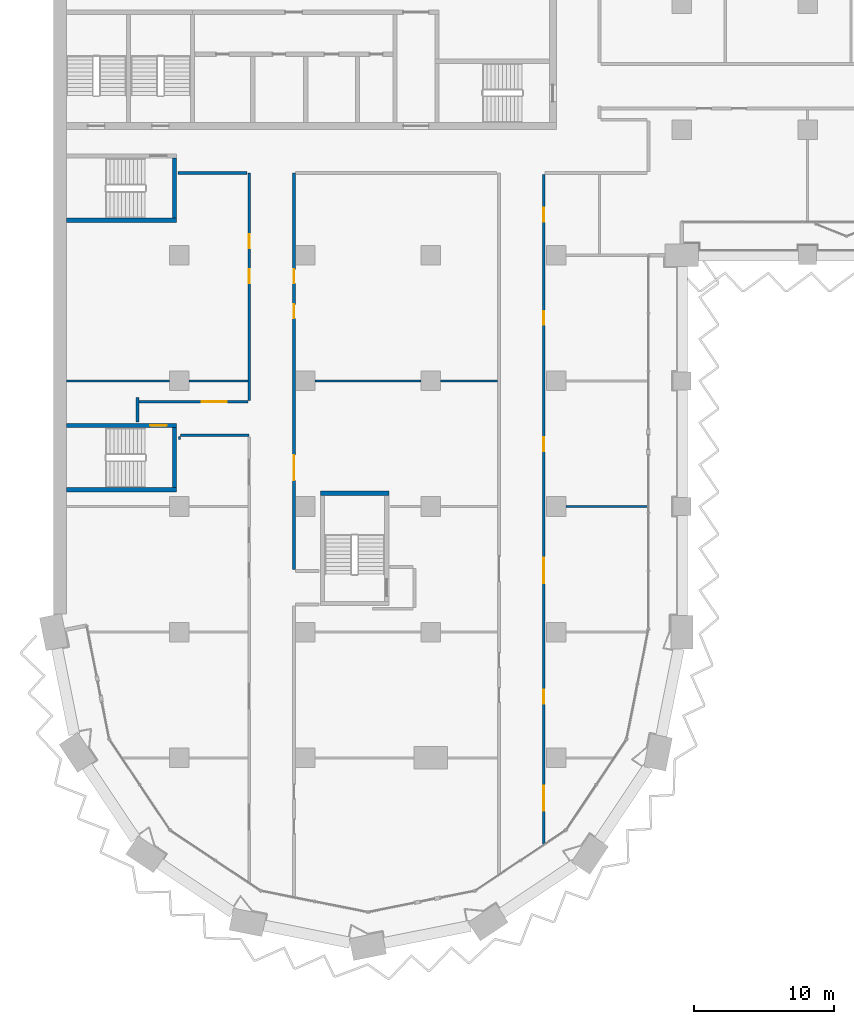
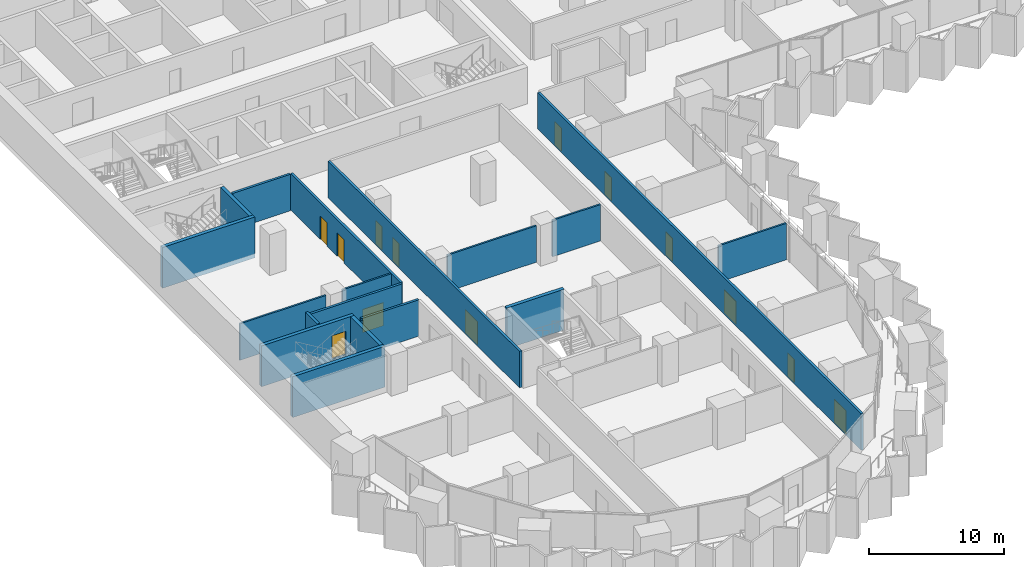
# One storey, part 11 of 28: 19 walls, 13 doors, 13 openings.
"""IFC4 building model written with IfcOpenShell, lengths in metres."""

from ifc_helpers import new_model, si_unit, direction, frame, frame_2d, origin, place, context, subcontext, project, spatial, rectangle, extrude, material, layer, layer_set, type_object, element, fill, save


model = new_model("IFC4")

# Units and contexts
model_context = context("Model", 3, precision=1e-05, world=origin(), true_north=direction((0.0, 1.0)))
body_context = subcontext(model_context, "Body", "Model", "MODEL_VIEW")
ifc_project = project(units=[si_unit("LENGTHUNIT", "METRE"), si_unit("AREAUNIT", "SQUARE_METRE"), si_unit("VOLUMEUNIT", "CUBIC_METRE"), si_unit("PLANEANGLEUNIT", "RADIAN"), si_unit("MASSUNIT", "GRAM", prefix="KILO")], contexts=[model_context])

# Site, building, storey
site_placement = place(None, origin())
site = spatial("IfcSite", under=ifc_project, at=site_placement, CompositionType="ELEMENT")
building_placement = place(site_placement, origin())
building = spatial("IfcBuilding", under=site, at=building_placement, Name="Hunhe Ridgeline Campus", CompositionType="ELEMENT")
storey_placement = place(building_placement, frame((0.0, 0.0, 43.199951171875)))
storey = spatial("IfcBuildingStorey", under=building, at=storey_placement, Name="L09", CompositionType="ELEMENT", Elevation=43.199951171875)

# Wall
ifc_material_1 = material(Name="Gypsum board partition")
ifc_layer_1 = layer(ifc_material_1, 0.199951171875)
ifc_layer_set_1 = layer_set([ifc_layer_1], Name="Corridor partition 200 gypsum board on steel studs")
wall_type_1 = type_object("IfcWallType", Name="Corridor partition 200 gypsum board on steel studs", PredefinedType="PARTITIONING", material=ifc_layer_set_1)
wall_1_placement = place(storey_placement, frame((14.0, 41.10009765625, 0.0), z_axis=(0.0, 0.0, 1.0), x_axis=(-1.0, 0.0, 0.0)))
element("IfcWall", 1, at=wall_1_placement, inside=storey, type_object=wall_type_1, Name="F-L09-wall-020", PredefinedType="PARTITIONING", context=body_context, shape_type="SweptSolid", body=[
    extrude(rectangle(XDim=4.925048828125, YDim=0.199951171875, at=frame_2d((2.46240234375, 0.0))), origin(), (0.0, 0.0, 1.0), 3.300048828125),
])

# Wall, opening, door
wall_2_placement = place(storey_placement, frame((6.10009765625, 43.5, 0.0), z_axis=(0.0, 0.0, 1.0), x_axis=(1.0, 0.0, 0.0)))
wall_2 = element("IfcWall", 2, at=wall_2_placement, inside=storey, type_object=wall_type_1, Name="F-L09-wall-021", PredefinedType="PARTITIONING", context=body_context, shape_type="SweptSolid", body=[
    extrude(rectangle(XDim=7.7998046875, YDim=0.199951171875, at=frame_2d((3.89990234375, 0.0))), origin(), (0.0, 0.0, 1.0), 3.300048828125),
])
opening_1_placement = place(wall_2_placement, frame((4.5, 0.0, 0.0)))
opening_1 = element("IfcOpeningElement", 3, at=opening_1_placement, cuts=wall_2, Name="Opening RD2-016", PredefinedType="OPENING", context=body_context, shape_type="SweptSolid", body=[
    extrude(rectangle(XDim=1.800048828125, YDim=2.10009765625, at=frame_2d((0.89990234375, 1.050048828125))), frame((0.0, 0.10009765625, 0.0), z_axis=(0.0, -1.0, 0.0), x_axis=(1.0, 0.0, 0.0)), (0.0, 0.0, 1.0), 0.199951171875),
])
ifc_material_2 = material(Name="Timber door leaf", Category="wood")
door_type_1 = type_object("IfcDoorType", Name="Double fire door 1800x2100 timber FD60", OperationType="DOUBLE_DOOR_SINGLE_SWING", PredefinedType="DOOR", material=ifc_material_2)
door_1_placement = place(opening_1_placement, origin())
door_1 = element("IfcDoor", 4, at=door_1_placement, inside=storey, type_object=door_type_1, Name="F-L09-door-016", OperationType="DOUBLE_DOOR_SINGLE_SWING", OverallHeight=2.10009765625, OverallWidth=1.800048828125, PredefinedType="DOOR", context=body_context, shape_type="SweptSolid", body=[
    extrude(rectangle(XDim=1.800048828125, YDim=2.10009765625, at=frame_2d((0.89990234375, 1.050048828125))), frame((0.0, 0.02490234375, 0.0), z_axis=(0.0, -1.0, 0.0), x_axis=(1.0, 0.0, 0.0)), (0.0, 0.0, 1.0), 0.050048828125),
])
fill(opening_1, door_1)

# Walls
wall_3_placement = place(storey_placement, frame((13.859375, 59.89990234375, 0.0), z_axis=(0.0, 0.0, 1.0), x_axis=(-1.0, 0.0, 0.0)))
element("IfcWall", 5, at=wall_3_placement, inside=storey, type_object=wall_type_1, Name="F-L09-wall-028", PredefinedType="PARTITIONING", context=body_context, shape_type="SweptSolid", body=[
    extrude(rectangle(XDim=4.955322265625, YDim=0.199951171875, at=frame_2d((2.4775390625, 0.0))), origin(), (0.0, 0.0, 1.0), 3.300048828125),
])
wall_4_placement = place(storey_placement, frame((6.0, 42.053955078125, 0.0), z_axis=(0.0, 0.0, 1.0), x_axis=(0.0, 1.0, 0.0)))
element("IfcWall", 6, at=wall_4_placement, inside=storey, type_object=wall_type_1, Name="F-L09-wall-044", PredefinedType="PARTITIONING", context=body_context, shape_type="SweptSolid", body=[
    extrude(rectangle(XDim=1.74609375, YDim=0.199951171875, at=frame_2d((0.873046875, 0.0))), origin(), (0.0, 0.0, 1.0), 3.300048828125),
])

# Wall, openings, doors
wall_5_placement = place(storey_placement, frame((14.0, 43.60009765625, 0.0), z_axis=(0.0, 0.0, 1.0), x_axis=(0.0, 1.0, 0.0)))
wall_5 = element("IfcWall", 7, at=wall_5_placement, inside=storey, type_object=wall_type_1, Name="F-L09-wall-047", PredefinedType="PARTITIONING", context=body_context, shape_type="SweptSolid", body=[
    extrude(rectangle(XDim=16.2998046875, YDim=0.199951171875, at=frame_2d((8.14990234375, 0.0))), origin(), (0.0, 0.0, 1.0), 3.300048828125),
])
opening_2_placement = place(wall_5_placement, frame((8.40234375, 0.0, 0.0)))
opening_2 = element("IfcOpeningElement", 8, at=opening_2_placement, cuts=wall_5, Name="Opening RD1-019", PredefinedType="OPENING", context=body_context, shape_type="SweptSolid", body=[
    extrude(rectangle(XDim=1.0, YDim=2.10009765625, at=frame_2d((0.5, 1.050048828125))), frame((0.0, 0.10009765625, 0.0), z_axis=(0.0, -1.0, 0.0), x_axis=(1.0, 0.0, 0.0)), (0.0, 0.0, 1.0), 0.199951171875),
])
opening_3_placement = place(wall_5_placement, frame((10.90234375, 0.0, 0.0)))
opening_3 = element("IfcOpeningElement", 9, at=opening_3_placement, cuts=wall_5, Name="Opening RD1-021", PredefinedType="OPENING", context=body_context, shape_type="SweptSolid", body=[
    extrude(rectangle(XDim=1.0, YDim=2.10009765625, at=frame_2d((0.5, 1.050048828125))), frame((0.0, 0.10009765625, 0.0), z_axis=(0.0, -1.0, 0.0), x_axis=(1.0, 0.0, 0.0)), (0.0, 0.0, 1.0), 0.199951171875),
])
door_type_2 = type_object("IfcDoorType", Name="Single fire door 1000x2100 timber FD60", OperationType="NOTDEFINED", PredefinedType="DOOR", material=ifc_material_2)
door_2_placement = place(opening_2_placement, frame((1.0, 0.0, 0.0), z_axis=(0.0, 0.0, 1.0), x_axis=(-1.0, 0.0, 0.0)))
door_2 = element("IfcDoor", 10, at=door_2_placement, inside=storey, type_object=door_type_2, Name="F-L09-door-019", OperationType="SINGLE_SWING_LEFT", OverallHeight=2.10009765625, OverallWidth=1.0, PredefinedType="DOOR", context=body_context, shape_type="SweptSolid", body=[
    extrude(rectangle(XDim=1.0, YDim=2.10009765625, at=frame_2d((0.5, 1.050048828125))), frame((0.0, 0.02490234375, 0.0), z_axis=(0.0, -1.0, 0.0), x_axis=(1.0, 0.0, 0.0)), (0.0, 0.0, 1.0), 0.050048828125),
])
fill(opening_2, door_2)
door_3_placement = place(opening_3_placement, frame((1.0, 0.0, 0.0), z_axis=(0.0, 0.0, 1.0), x_axis=(-1.0, 0.0, 0.0)))
door_3 = element("IfcDoor", 11, at=door_3_placement, inside=storey, type_object=door_type_2, Name="F-L09-door-021", OperationType="SINGLE_SWING_LEFT", OverallHeight=2.10009765625, OverallWidth=1.0, PredefinedType="DOOR", context=body_context, shape_type="SweptSolid", body=[
    extrude(rectangle(XDim=1.0, YDim=2.10009765625, at=frame_2d((0.5, 1.050048828125))), frame((0.0, 0.02490234375, 0.0), z_axis=(0.0, -1.0, 0.0), x_axis=(1.0, 0.0, 0.0)), (0.0, 0.0, 1.0), 0.050048828125),
])
fill(opening_3, door_3)

wall_6_placement = place(storey_placement, frame((17.199951171875, 59.89990234375, 0.0), z_axis=(0.0, 0.0, 1.0), x_axis=(0.0, -1.0, 0.0)))
wall_6 = element("IfcWall", 12, at=wall_6_placement, inside=storey, type_object=wall_type_1, Name="F-L09-wall-049", PredefinedType="PARTITIONING", context=body_context, shape_type="SweptSolid", body=[
    extrude(rectangle(XDim=28.41357421875, YDim=0.199951171875, at=frame_2d((14.206787109375, 0.0))), origin(), (0.0, 0.0, 1.0), 3.300048828125),
])
opening_4_placement = place(wall_6_placement, frame((20.224609375, 0.0, 0.0)))
opening_4 = element("IfcOpeningElement", 13, at=opening_4_placement, cuts=wall_6, Name="Opening RD2-014", PredefinedType="OPENING", context=body_context, shape_type="SweptSolid", body=[
    extrude(rectangle(XDim=1.800048828125, YDim=2.10009765625, at=frame_2d((0.89990234375, 1.050048828125))), frame((0.0, 0.10009765625, 0.0), z_axis=(0.0, -1.0, 0.0), x_axis=(1.0, 0.0, 0.0)), (0.0, 0.0, 1.0), 0.199951171875),
])
opening_5_placement = place(wall_6_placement, frame((9.417724609375, 0.0, 0.0)))
opening_5 = element("IfcOpeningElement", 14, at=opening_5_placement, cuts=wall_6, Name="Opening RD1-018", PredefinedType="OPENING", context=body_context, shape_type="SweptSolid", body=[
    extrude(rectangle(XDim=1.0, YDim=2.10009765625, at=frame_2d((0.5, 1.050048828125))), frame((0.0, 0.10009765625, 0.0), z_axis=(0.0, -1.0, 0.0), x_axis=(1.0, 0.0, 0.0)), (0.0, 0.0, 1.0), 0.199951171875),
])
opening_6_placement = place(wall_6_placement, frame((6.917724609375, 0.0, 0.0)))
opening_6 = element("IfcOpeningElement", 15, at=opening_6_placement, cuts=wall_6, Name="Opening RD1-020", PredefinedType="OPENING", context=body_context, shape_type="SweptSolid", body=[
    extrude(rectangle(XDim=1.0, YDim=2.10009765625, at=frame_2d((0.5, 1.050048828125))), frame((0.0, 0.10009765625, 0.0), z_axis=(0.0, -1.0, 0.0), x_axis=(1.0, 0.0, 0.0)), (0.0, 0.0, 1.0), 0.199951171875),
])
door_4_placement = place(opening_4_placement, origin())
door_4 = element("IfcDoor", 16, at=door_4_placement, inside=storey, type_object=door_type_1, Name="F-L09-door-014", OperationType="DOUBLE_DOOR_SINGLE_SWING", OverallHeight=2.10009765625, OverallWidth=1.800048828125, PredefinedType="DOOR", context=body_context, shape_type="SweptSolid", body=[
    extrude(rectangle(XDim=1.800048828125, YDim=2.10009765625, at=frame_2d((0.89990234375, 1.050048828125))), frame((0.0, 0.02490234375, 0.0), z_axis=(0.0, -1.0, 0.0), x_axis=(1.0, 0.0, 0.0)), (0.0, 0.0, 1.0), 0.050048828125),
])
fill(opening_4, door_4)
door_5_placement = place(opening_5_placement, frame((1.0, 0.0, 0.0), z_axis=(0.0, 0.0, 1.0), x_axis=(-1.0, 0.0, 0.0)))
door_5 = element("IfcDoor", 17, at=door_5_placement, inside=storey, type_object=door_type_2, Name="F-L09-door-018", OperationType="SINGLE_SWING_LEFT", OverallHeight=2.10009765625, OverallWidth=1.0, PredefinedType="DOOR", context=body_context, shape_type="SweptSolid", body=[
    extrude(rectangle(XDim=1.0, YDim=2.10009765625, at=frame_2d((0.5, 1.050048828125))), frame((0.0, 0.02490234375, 0.0), z_axis=(0.0, -1.0, 0.0), x_axis=(1.0, 0.0, 0.0)), (0.0, 0.0, 1.0), 0.050048828125),
])
fill(opening_5, door_5)
door_6_placement = place(opening_6_placement, frame((1.0, 0.0, 0.0), z_axis=(0.0, 0.0, 1.0), x_axis=(-1.0, 0.0, 0.0)))
door_6 = element("IfcDoor", 18, at=door_6_placement, inside=storey, type_object=door_type_2, Name="F-L09-door-020", OperationType="SINGLE_SWING_RIGHT", OverallHeight=2.10009765625, OverallWidth=1.0, PredefinedType="DOOR", context=body_context, shape_type="SweptSolid", body=[
    extrude(rectangle(XDim=1.0, YDim=2.10009765625, at=frame_2d((0.5, 1.050048828125))), frame((0.0, 0.02490234375, 0.0), z_axis=(0.0, -1.0, 0.0), x_axis=(1.0, 0.0, 0.0)), (0.0, 0.0, 1.0), 0.050048828125),
])
fill(opening_6, door_6)

wall_7_placement = place(storey_placement, frame((35.10009765625, 59.800048828125, 0.0), z_axis=(0.0, 0.0, 1.0), x_axis=(0.0, -1.0, 0.0)))
wall_7 = element("IfcWall", 19, at=wall_7_placement, inside=storey, type_object=wall_type_1, Name="F-L09-wall-052", PredefinedType="PARTITIONING", context=body_context, shape_type="SweptSolid", body=[
    extrude(rectangle(XDim=47.968994140625, YDim=0.199951171875, at=frame_2d((23.984375, 0.0))), origin(), (0.0, 0.0, 1.0), 3.300048828125),
])
opening_7_placement = place(wall_7_placement, frame((43.803955078125, 0.0, 0.0)))
opening_7 = element("IfcOpeningElement", 20, at=opening_7_placement, cuts=wall_7, Name="Opening RD2-003", PredefinedType="OPENING", context=body_context, shape_type="SweptSolid", body=[
    extrude(rectangle(XDim=1.800048828125, YDim=2.10009765625, at=frame_2d((0.89990234375, 1.050048828125))), frame((0.0, 0.10009765625, 0.0), z_axis=(0.0, -1.0, 0.0), x_axis=(1.0, 0.0, 0.0)), (0.0, 0.0, 1.0), 0.199951171875),
])
opening_8_placement = place(wall_7_placement, frame((36.9208984375, 0.0, 0.0)))
opening_8 = element("IfcOpeningElement", 21, at=opening_8_placement, cuts=wall_7, Name="Opening RD1-006", PredefinedType="OPENING", context=body_context, shape_type="SweptSolid", body=[
    extrude(rectangle(XDim=1.0, YDim=2.10009765625, at=frame_2d((0.5, 1.050048828125))), frame((0.0, 0.10009765625, 0.0), z_axis=(0.0, -1.0, 0.0), x_axis=(1.0, 0.0, 0.0)), (0.0, 0.0, 1.0), 0.199951171875),
])
opening_9_placement = place(wall_7_placement, frame((27.4794921875, 0.0, 0.0)))
opening_9 = element("IfcOpeningElement", 22, at=opening_9_placement, cuts=wall_7, Name="Opening RD2-010", PredefinedType="OPENING", context=body_context, shape_type="SweptSolid", body=[
    extrude(rectangle(XDim=1.800048828125, YDim=2.10009765625, at=frame_2d((0.89990234375, 1.050048828125))), frame((0.0, 0.10009765625, 0.0), z_axis=(0.0, -1.0, 0.0), x_axis=(1.0, 0.0, 0.0)), (0.0, 0.0, 1.0), 0.199951171875),
])
opening_10_placement = place(wall_7_placement, frame((18.838134765625, 0.0, 0.0)))
opening_10 = element("IfcOpeningElement", 23, at=opening_10_placement, cuts=wall_7, Name="Opening RD1-015", PredefinedType="OPENING", context=body_context, shape_type="SweptSolid", body=[
    extrude(rectangle(XDim=1.0, YDim=2.10009765625, at=frame_2d((0.5, 1.050048828125))), frame((0.0, 0.10009765625, 0.0), z_axis=(0.0, -1.0, 0.0), x_axis=(1.0, 0.0, 0.0)), (0.0, 0.0, 1.0), 0.199951171875),
])
opening_11_placement = place(wall_7_placement, frame((9.797119140625, 0.0, 0.0)))
opening_11 = element("IfcOpeningElement", 24, at=opening_11_placement, cuts=wall_7, Name="Opening RD1-017", PredefinedType="OPENING", context=body_context, shape_type="SweptSolid", body=[
    extrude(rectangle(XDim=1.0, YDim=2.10009765625, at=frame_2d((0.5, 1.050048828125))), frame((0.0, 0.10009765625, 0.0), z_axis=(0.0, -1.0, 0.0), x_axis=(1.0, 0.0, 0.0)), (0.0, 0.0, 1.0), 0.199951171875),
])
opening_12_placement = place(wall_7_placement, frame((2.38818359375, 0.0, 0.0)))
opening_12 = element("IfcOpeningElement", 25, at=opening_12_placement, cuts=wall_7, Name="Opening RD1-022", PredefinedType="OPENING", context=body_context, shape_type="SweptSolid", body=[
    extrude(rectangle(XDim=1.0, YDim=2.10009765625, at=frame_2d((0.5, 1.050048828125))), frame((0.0, 0.10009765625, 0.0), z_axis=(0.0, -1.0, 0.0), x_axis=(1.0, 0.0, 0.0)), (0.0, 0.0, 1.0), 0.199951171875),
])
door_7_placement = place(opening_7_placement, origin())
door_7 = element("IfcDoor", 26, at=door_7_placement, inside=storey, type_object=door_type_1, Name="F-L09-door-003", OperationType="DOUBLE_DOOR_SINGLE_SWING", OverallHeight=2.10009765625, OverallWidth=1.800048828125, PredefinedType="DOOR", context=body_context, shape_type="SweptSolid", body=[
    extrude(rectangle(XDim=1.800048828125, YDim=2.10009765625, at=frame_2d((0.89990234375, 1.050048828125))), frame((0.0, 0.02490234375, 0.0), z_axis=(0.0, -1.0, 0.0), x_axis=(1.0, 0.0, 0.0)), (0.0, 0.0, 1.0), 0.050048828125),
])
fill(opening_7, door_7)
door_8_placement = place(opening_9_placement, origin())
door_8 = element("IfcDoor", 27, at=door_8_placement, inside=storey, type_object=door_type_1, Name="F-L09-door-010", OperationType="DOUBLE_DOOR_SINGLE_SWING", OverallHeight=2.10009765625, OverallWidth=1.800048828125, PredefinedType="DOOR", context=body_context, shape_type="SweptSolid", body=[
    extrude(rectangle(XDim=1.800048828125, YDim=2.10009765625, at=frame_2d((0.89990234375, 1.050048828125))), frame((0.0, 0.02490234375, 0.0), z_axis=(0.0, -1.0, 0.0), x_axis=(1.0, 0.0, 0.0)), (0.0, 0.0, 1.0), 0.050048828125),
])
fill(opening_9, door_8)
door_9_placement = place(opening_8_placement, origin())
door_9 = element("IfcDoor", 28, at=door_9_placement, inside=storey, type_object=door_type_2, Name="F-L09-door-006", OperationType="SINGLE_SWING_LEFT", OverallHeight=2.10009765625, OverallWidth=1.0, PredefinedType="DOOR", context=body_context, shape_type="SweptSolid", body=[
    extrude(rectangle(XDim=1.0, YDim=2.10009765625, at=frame_2d((0.5, 1.050048828125))), frame((0.0, 0.02490234375, 0.0), z_axis=(0.0, -1.0, 0.0), x_axis=(1.0, 0.0, 0.0)), (0.0, 0.0, 1.0), 0.050048828125),
])
fill(opening_8, door_9)
door_10_placement = place(opening_10_placement, origin())
door_10 = element("IfcDoor", 29, at=door_10_placement, inside=storey, type_object=door_type_2, Name="F-L09-door-015", OperationType="SINGLE_SWING_LEFT", OverallHeight=2.10009765625, OverallWidth=1.0, PredefinedType="DOOR", context=body_context, shape_type="SweptSolid", body=[
    extrude(rectangle(XDim=1.0, YDim=2.10009765625, at=frame_2d((0.5, 1.050048828125))), frame((0.0, 0.02490234375, 0.0), z_axis=(0.0, -1.0, 0.0), x_axis=(1.0, 0.0, 0.0)), (0.0, 0.0, 1.0), 0.050048828125),
])
fill(opening_10, door_10)
door_11_placement = place(opening_11_placement, origin())
door_11 = element("IfcDoor", 30, at=door_11_placement, inside=storey, type_object=door_type_2, Name="F-L09-door-017", OperationType="SINGLE_SWING_LEFT", OverallHeight=2.10009765625, OverallWidth=1.0, PredefinedType="DOOR", context=body_context, shape_type="SweptSolid", body=[
    extrude(rectangle(XDim=1.0, YDim=2.10009765625, at=frame_2d((0.5, 1.050048828125))), frame((0.0, 0.02490234375, 0.0), z_axis=(0.0, -1.0, 0.0), x_axis=(1.0, 0.0, 0.0)), (0.0, 0.0, 1.0), 0.050048828125),
])
fill(opening_11, door_11)
door_12_placement = place(opening_12_placement, origin())
door_12 = element("IfcDoor", 31, at=door_12_placement, inside=storey, type_object=door_type_2, Name="F-L09-door-022", OperationType="SINGLE_SWING_LEFT", OverallHeight=2.10009765625, OverallWidth=1.0, PredefinedType="DOOR", context=body_context, shape_type="SweptSolid", body=[
    extrude(rectangle(XDim=1.0, YDim=2.10009765625, at=frame_2d((0.5, 1.050048828125))), frame((0.0, 0.02490234375, 0.0), z_axis=(0.0, -1.0, 0.0), x_axis=(1.0, 0.0, 0.0)), (0.0, 0.0, 1.0), 0.050048828125),
])
fill(opening_12, door_12)

# Walls
ifc_layer_2 = layer(ifc_material_1, 0.14990234375)
ifc_layer_set_2 = layer_set([ifc_layer_2], Name="Room partition 150 gypsum board on steel studs")
wall_type_2 = type_object("IfcWallType", Name="Room partition 150 gypsum board on steel studs", PredefinedType="PARTITIONING", material=ifc_layer_set_2)
wall_8_placement = place(storey_placement, frame((36.699951171875, 36.0, 0.0), z_axis=(0.0, 0.0, 1.0), x_axis=(1.0, 0.0, 0.0)))
element("IfcWall", 32, at=wall_8_placement, inside=storey, type_object=wall_type_2, Name="F-L09-wall-019", PredefinedType="PARTITIONING", context=body_context, shape_type="SweptSolid", body=[
    extrude(rectangle(XDim=5.844970703125, YDim=0.14990234375, at=frame_2d((2.92236328125, 0.0))), origin(), (0.0, 0.0, 1.0), 3.300048828125),
])
wall_9_placement = place(storey_placement, frame((0.919921875, 45.0, 0.0), z_axis=(0.0, 0.0, 1.0), x_axis=(1.0, 0.0, 0.0)))
element("IfcWall", 33, at=wall_9_placement, inside=storey, type_object=wall_type_2, Name="F-L09-wall-022", PredefinedType="PARTITIONING", context=body_context, shape_type="SweptSolid", body=[
    extrude(rectangle(XDim=7.380126953125, YDim=0.14990234375, at=frame_2d((3.68994140625, 0.0))), origin(), (0.0, 0.0, 1.0), 3.300048828125),
])
wall_10_placement = place(storey_placement, frame((9.699951171875, 45.0, 0.0), z_axis=(0.0, 0.0, 1.0), x_axis=(1.0, 0.0, 0.0)))
element("IfcWall", 34, at=wall_10_placement, inside=storey, type_object=wall_type_2, Name="F-L09-wall-023", PredefinedType="PARTITIONING", context=body_context, shape_type="SweptSolid", body=[
    extrude(rectangle(XDim=4.199951171875, YDim=0.14990234375, at=frame_2d((2.10009765625, 0.0))), origin(), (0.0, 0.0, 1.0), 3.300048828125),
])
wall_11_placement = place(storey_placement, frame((18.699951171875, 45.0, 0.0), z_axis=(0.0, 0.0, 1.0), x_axis=(1.0, 0.0, 0.0)))
element("IfcWall", 35, at=wall_11_placement, inside=storey, type_object=wall_type_2, Name="F-L09-wall-024", PredefinedType="PARTITIONING", context=body_context, shape_type="SweptSolid", body=[
    extrude(rectangle(XDim=7.60009765625, YDim=0.14990234375, at=frame_2d((3.800048828125, 0.0))), origin(), (0.0, 0.0, 1.0), 3.300048828125),
])
wall_12_placement = place(storey_placement, frame((27.699951171875, 45.0, 0.0), z_axis=(0.0, 0.0, 1.0), x_axis=(1.0, 0.0, 0.0)))
element("IfcWall", 36, at=wall_12_placement, inside=storey, type_object=wall_type_2, Name="F-L09-wall-025", PredefinedType="PARTITIONING", context=body_context, shape_type="SweptSolid", body=[
    extrude(rectangle(XDim=4.10009765625, YDim=0.14990234375, at=frame_2d((2.050048828125, 0.0))), origin(), (0.0, 0.0, 1.0), 3.300048828125),
])
wall_13_placement = place(storey_placement, frame((9.0, 41.0, 0.0), z_axis=(0.0, 0.0, 1.0), x_axis=(0.0, -1.0, 0.0)))
element("IfcWall", 37, at=wall_13_placement, inside=storey, type_object=wall_type_2, Name="F-L09-wall-045", PredefinedType="PARTITIONING", context=body_context, shape_type="SweptSolid", body=[
    extrude(rectangle(XDim=0.199951171875, YDim=0.14990234375, at=frame_2d((0.10009765625, 0.0))), origin(), (0.0, 0.0, 1.0), 3.300048828125),
])
ifc_material_3 = material(Name="Concrete C80", Category="concrete")
ifc_layer_3 = layer(ifc_material_3, 0.300048828125)
ifc_layer_set_3 = layer_set([ifc_layer_3], Name="Stair wall 300 reinforced concrete C80")
wall_type_3 = type_object("IfcWallType", Name="Stair wall 300 reinforced concrete C80", PredefinedType="SOLIDWALL", material=ifc_layer_set_3)
wall_14_placement = place(storey_placement, frame((19.10009765625, 36.949951171875, -0.39990234375), z_axis=(0.0, 0.0, 1.0), x_axis=(1.0, 0.0, 0.0)))
element("IfcWall", 38, at=wall_14_placement, inside=storey, type_object=wall_type_3, Name="L09 core wall 2", PredefinedType="SOLIDWALL", context=body_context, shape_type="SweptSolid", body=[
    extrude(rectangle(XDim=4.89990234375, YDim=0.300048828125, at=frame_2d((2.449951171875, 0.0))), origin(), (0.0, 0.0, 1.0), 3.699951171875),
])
wall_15_placement = place(storey_placement, frame((0.89990234375, 37.199951171875, -0.39990234375), z_axis=(0.0, 0.0, 1.0), x_axis=(1.0, 0.0, 0.0)))
element("IfcWall", 39, at=wall_15_placement, inside=storey, type_object=wall_type_3, Name="L09 core wall 3", PredefinedType="SOLIDWALL", context=body_context, shape_type="SweptSolid", body=[
    extrude(rectangle(XDim=7.900146484375, YDim=0.300048828125, at=frame_2d((3.9501953125, 0.0))), origin(), (0.0, 0.0, 1.0), 3.699951171875),
])

# Wall, opening, door
wall_16_placement = place(storey_placement, frame((0.89990234375, 41.800048828125, -0.39990234375), z_axis=(0.0, 0.0, 1.0), x_axis=(1.0, 0.0, 0.0)))
wall_16 = element("IfcWall", 40, at=wall_16_placement, inside=storey, type_object=wall_type_3, Name="L09 core wall 4", PredefinedType="SOLIDWALL", context=body_context, shape_type="SweptSolid", body=[
    extrude(rectangle(XDim=7.900146484375, YDim=0.300048828125, at=frame_2d((3.9501953125, 0.0))), origin(), (0.0, 0.0, 1.0), 3.699951171875),
])
opening_13_placement = place(wall_16_placement, frame((6.0, 0.0, 0.39990234375)))
opening_13 = element("IfcOpeningElement", 41, at=opening_13_placement, cuts=wall_16, Name="Opening CD21", PredefinedType="OPENING", context=body_context, shape_type="SweptSolid", body=[
    extrude(rectangle(XDim=1.199951171875, YDim=2.10009765625, at=frame_2d((0.60009765625, 1.050048828125))), frame((0.0, 0.14990234375, 0.0), z_axis=(0.0, -1.0, 0.0), x_axis=(1.0, 0.0, 0.0)), (0.0, 0.0, 1.0), 0.300048828125),
])
ifc_material_4 = material(Name="Hollow metal fire door leaf")
door_type_3 = type_object("IfcDoorType", Name="Stair door 1200x2100 FD60", OperationType="SINGLE_SWING_LEFT", PredefinedType="DOOR", material=ifc_material_4)
door_13_placement = place(opening_13_placement, origin())
door_13 = element("IfcDoor", 42, at=door_13_placement, inside=storey, type_object=door_type_3, Name="L09 door W1", OperationType="SINGLE_SWING_LEFT", OverallHeight=2.10009765625, OverallWidth=1.199951171875, PredefinedType="DOOR", context=body_context, shape_type="SweptSolid", body=[
    extrude(rectangle(XDim=1.199951171875, YDim=2.10009765625, at=frame_2d((0.60009765625, 1.050048828125))), frame((0.0, 0.02490234375, 0.0), z_axis=(0.0, -1.0, 0.0), x_axis=(1.0, 0.0, 0.0)), (0.0, 0.0, 1.0), 0.050048828125),
])
fill(opening_13, door_13)

# Walls
wall_17_placement = place(storey_placement, frame((0.89990234375, 56.5, -0.39990234375), z_axis=(0.0, 0.0, 1.0), x_axis=(1.0, 0.0, 0.0)))
element("IfcWall", 43, at=wall_17_placement, inside=storey, type_object=wall_type_3, Name="L09 core wall 5", PredefinedType="SOLIDWALL", context=body_context, shape_type="SweptSolid", body=[
    extrude(rectangle(XDim=7.900146484375, YDim=0.300048828125, at=frame_2d((3.9501953125, 0.0))), origin(), (0.0, 0.0, 1.0), 3.699951171875),
])
wall_18_placement = place(storey_placement, frame((8.64990234375, 37.35009765625, -0.39990234375), z_axis=(0.0, 0.0, 1.0), x_axis=(0.0, 1.0, 0.0)))
element("IfcWall", 44, at=wall_18_placement, inside=storey, type_object=wall_type_3, Name="L09 core wall 41", PredefinedType="SOLIDWALL", context=body_context, shape_type="SweptSolid", body=[
    extrude(rectangle(XDim=4.2998046875, YDim=0.300048828125, at=frame_2d((2.14990234375, 0.0))), origin(), (0.0, 0.0, 1.0), 3.699951171875),
])
wall_19_placement = place(storey_placement, frame((8.64990234375, 56.64990234375, -0.39990234375), z_axis=(0.0, 0.0, 1.0), x_axis=(0.0, 1.0, 0.0)))
element("IfcWall", 45, at=wall_19_placement, inside=storey, type_object=wall_type_3, Name="L09 core wall 42", PredefinedType="SOLIDWALL", context=body_context, shape_type="SweptSolid", body=[
    extrude(rectangle(XDim=4.300048828125, YDim=0.300048828125, at=frame_2d((2.14990234375, 0.0))), origin(), (0.0, 0.0, 1.0), 3.699951171875),
])

save(model, "model.ifc")
